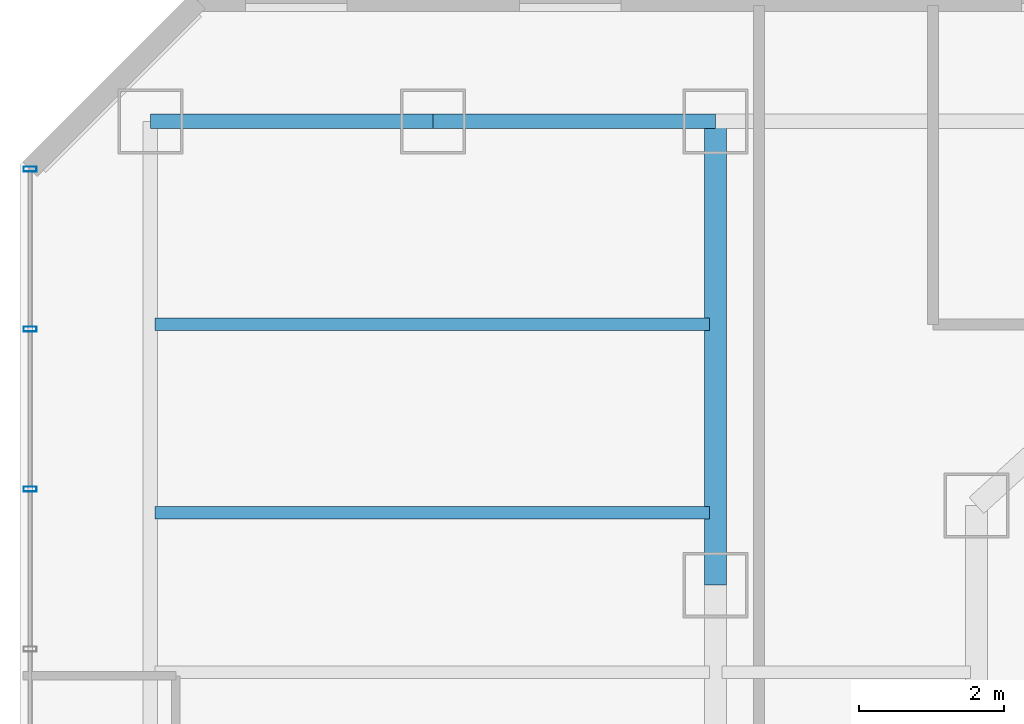
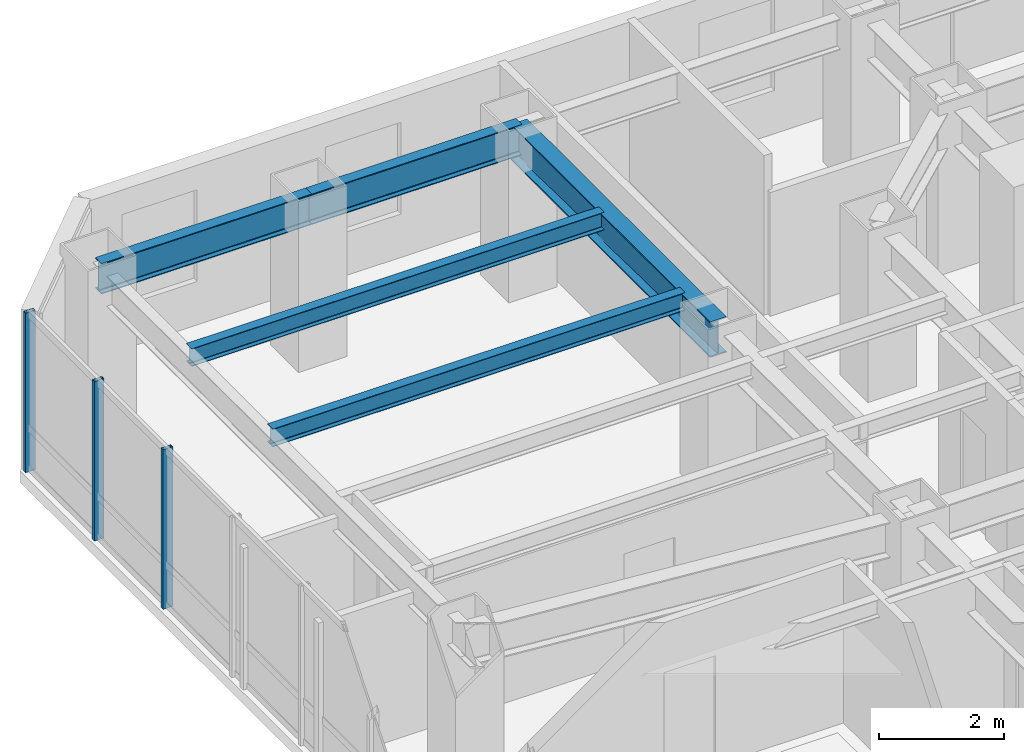
# One storey, part 23 of 36: 5 beams, 3 members, 1 element without a shape of its own.
"""IFC4 building model written with IfcOpenShell, lengths in metres."""

from ifc_helpers import new_model, si_unit, direction, frame, origin, origin_2d, place, context, subcontext, project, spatial, hollow_rectangle, i_section, extrude, material, layer, layer_set, material_profile, profile_set, type_object, element, aggregate, save


model = new_model("IFC4")

# Units and contexts
model_context = context("Model", 3, precision=1e-05, world=origin(), true_north=direction((0.0, 1.0)))
body_context = subcontext(model_context, "Body", "Model", "MODEL_VIEW")
ifc_project = project(units=[si_unit("LENGTHUNIT", "METRE"), si_unit("AREAUNIT", "SQUARE_METRE"), si_unit("VOLUMEUNIT", "CUBIC_METRE"), si_unit("PLANEANGLEUNIT", "RADIAN"), si_unit("MASSUNIT", "GRAM", prefix="KILO")], contexts=[model_context])

# Site, building, storey
site_placement = place(None, origin())
site = spatial("IfcSite", under=ifc_project, at=site_placement, CompositionType="ELEMENT")
building_placement = place(site_placement, origin())
building = spatial("IfcBuilding", under=site, at=building_placement, Name="Hatsunagi Terrace Concourse", CompositionType="ELEMENT")
storey_placement = place(building_placement, frame((0.0, 0.0, 84.64990234375)))
storey = spatial("IfcBuildingStorey", under=building, at=storey_placement, Name="L22", CompositionType="ELEMENT", Elevation=84.64990234375)

# Curtain wall, members
ifc_material_1 = material(Name="Anodised Aluminium Alloy 6063-T5", Category="aluminium")
ifc_layer = layer(ifc_material_1, 0.199951171875)
ifc_layer_set = layer_set([ifc_layer], Name="HotelFacade_CW02")
curtain_wall_type = type_object("IfcCurtainWallType", Name="HotelFacade_CW02", PredefinedType="NOTDEFINED", material=ifc_layer_set)
curtain_wall_placement = place(storey_placement, origin())
curtain_wall = element("IfcCurtainWall", 1, at=curtain_wall_placement, inside=storey, type_object=curtain_wall_type, Name="Unitised Curtain Wall CW-02 CW-L22-09", PredefinedType="NOTDEFINED")
ifc_material_2 = material(Name="Anodised Aluminium Alloy 6063-T5", Category="aluminium")
ifc_material_profile_1 = material_profile(ifc_material_2, hollow_rectangle(XDim=0.070068359375, YDim=0.179931640625, WallThickness=0.00390625, at=origin_2d()), Name="ALU-MUL-180x70x4")
ifc_profile_set_1 = profile_set([ifc_material_profile_1], Name="Anodised Aluminium Alloy 6063-T5")
member_type = type_object("IfcMemberType", Name="CurtainWallMullion_180x70", PredefinedType="MULLION", material=ifc_profile_set_1)
member_1_placement = place(storey_placement, frame((9.739990234375, 43.52490234375, 0.0), z_axis=(0.0, 0.0, 1.0), x_axis=(0.0, 1.0, 0.0)))
member_1 = element("IfcMember", 2, at=member_1_placement, type_object=member_type, Name="Curtain Wall Mullion MUL-02", PredefinedType="MULLION", context=body_context, shape_type="SweptSolid", body=[
    extrude(hollow_rectangle(XDim=0.070068359375, YDim=0.179931640625, WallThickness=0.00390625, at=origin_2d()), origin(), (0.0, 0.0, 1.0), 3.130126953125),
])
member_2_placement = place(storey_placement, frame((9.739990234375, 45.73388671875, 0.0), z_axis=(0.0, 0.0, 1.0), x_axis=(0.0, 1.0, 0.0)))
member_2 = element("IfcMember", 3, at=member_2_placement, type_object=member_type, Name="Curtain Wall Mullion MUL-02", PredefinedType="MULLION", context=body_context, shape_type="SweptSolid", body=[
    extrude(hollow_rectangle(XDim=0.070068359375, YDim=0.179931640625, WallThickness=0.00390625, at=origin_2d()), origin(), (0.0, 0.0, 1.0), 3.130126953125),
])
member_3_placement = place(storey_placement, frame((9.739990234375, 47.94189453125, 0.0), z_axis=(0.0, 0.0, 1.0), x_axis=(0.0, 1.0, 0.0)))
member_3 = element("IfcMember", 4, at=member_3_placement, type_object=member_type, Name="Curtain Wall Mullion MUL-02", PredefinedType="MULLION", context=body_context, shape_type="SweptSolid", body=[
    extrude(hollow_rectangle(XDim=0.070068359375, YDim=0.179931640625, WallThickness=0.00390625, at=origin_2d()), origin(), (0.0, 0.0, 1.0), 3.130126953125),
])
aggregate(curtain_wall, [member_1, member_2, member_3])

# Beams
ifc_material_3 = material(Name="Steel SN490B", Category="steel")
ifc_material_profile_2 = material_profile(ifc_material_3, i_section(OverallWidth=0.300048828125, OverallDepth=0.699951171875, WebThickness=0.012939453125, FlangeThickness=0.02392578125, FilletRadius=0.02197265625, at=origin_2d()), Name="H-700x300x13x24")
ifc_profile_set_2 = profile_set([ifc_material_profile_2], Name="Steel SN490B")
beam_type_1 = type_object("IfcBeamType", Name="HotelFloorGirder_H_700x300", PredefinedType="BEAM", material=ifc_profile_set_2)
beam_1_placement = place(storey_placement, frame((19.199951171875, 42.199951171875, 2.780029296875), z_axis=(0.0, 1.0, 0.0), x_axis=(-1.0, 0.0, 0.0)))
element("IfcBeam", 5, at=beam_1_placement, inside=storey, type_object=beam_type_1, Name="Beam G-04 BM-L22-NS-19-42", PredefinedType="BEAM", context=body_context, shape_type="SweptSolid", body=[
    extrude(i_section(OverallWidth=0.300048828125, OverallDepth=0.699951171875, WebThickness=0.012939453125, FlangeThickness=0.02392578125, FilletRadius=0.02197265625, at=origin_2d()), origin(), (0.0, 0.0, 1.0), 6.400146484375),
])
ifc_material_4 = material(Name="Steel SN490B", Category="steel")
ifc_material_profile_3 = material_profile(ifc_material_4, i_section(OverallWidth=0.175048828125, OverallDepth=0.35009765625, WebThickness=0.007080078125, FlangeThickness=0.010986328125, FilletRadius=0.012939453125, at=origin_2d()), Name="H-350x175x7x11")
ifc_profile_set_3 = profile_set([ifc_material_profile_3], Name="Steel SN490B")
beam_type_2 = type_object("IfcBeamType", Name="HotelJoist_H_350x175", PredefinedType="JOIST", material=ifc_profile_set_3)
for number, where, z_axis, x_axis, name in (
    (6, (11.465087890625, 43.199951171875, 2.955078125), (1.0, 0.0, 0.0), (0.0, 1.0, 0.0), "Beam J-02 J-L22-W-11-432"),
    (7, (11.465087890625, 45.800048828125, 2.955078125), (1.0, 0.0, 0.0), (0.0, 1.0, 0.0), "Beam J-02 J-L22-W-11-458"),
):
    element("IfcBeam", number, at=place(storey_placement, frame(where, z_axis=z_axis, x_axis=x_axis)), inside=storey, type_object=beam_type_2, Name=name, PredefinedType="JOIST", context=body_context, shape_type="SweptSolid", body=[
        extrude(i_section(OverallWidth=0.175048828125, OverallDepth=0.35009765625, WebThickness=0.007080078125, FlangeThickness=0.010986328125, FilletRadius=0.012939453125, at=origin_2d()), origin(), (0.0, 0.0, 1.0), 7.64990234375),
    ])
ifc_material_5 = material(Name="Steel SN490B", Category="steel")
ifc_material_profile_4 = material_profile(ifc_material_5, i_section(OverallWidth=0.199951171875, OverallDepth=0.60009765625, WebThickness=0.010986328125, FlangeThickness=0.01708984375, FilletRadius=0.01806640625, at=origin_2d()), Name="H-600x200x11x17")
ifc_profile_set_4 = profile_set([ifc_material_profile_4], Name="Steel SN490B")
beam_type_3 = type_object("IfcBeamType", Name="PerimeterSpandrel_H_600x200", PredefinedType="SPANDREL", material=ifc_profile_set_4)
beam_2_placement = place(storey_placement, frame((11.39990234375, 48.60009765625, 2.830078125), z_axis=(1.0, 0.0, 0.0), x_axis=(0.0, 1.0, 0.0)))
element("IfcBeam", 8, at=beam_2_placement, inside=storey, type_object=beam_type_3, Name="Beam SP-01 BM-L22-WN-11", PredefinedType="SPANDREL", context=body_context, shape_type="SweptSolid", body=[
    extrude(i_section(OverallWidth=0.199951171875, OverallDepth=0.60009765625, WebThickness=0.010986328125, FlangeThickness=0.01708984375, FilletRadius=0.01806640625, at=origin_2d()), origin(), (0.0, 0.0, 1.0), 3.900146484375),
])
beam_3_placement = place(storey_placement, frame((15.300048828125, 48.60009765625, 2.830078125), z_axis=(1.0, 0.0, 0.0), x_axis=(0.0, 1.0, 0.0)))
element("IfcBeam", 9, at=beam_3_placement, inside=storey, type_object=beam_type_3, Name="Beam SP-01 BM-L22-WN-15", PredefinedType="SPANDREL", context=body_context, shape_type="SweptSolid", body=[
    extrude(i_section(OverallWidth=0.199951171875, OverallDepth=0.60009765625, WebThickness=0.010986328125, FlangeThickness=0.01708984375, FilletRadius=0.01806640625, at=origin_2d()), origin(), (0.0, 0.0, 1.0), 3.89990234375),
])

save(model, "model.ifc")
